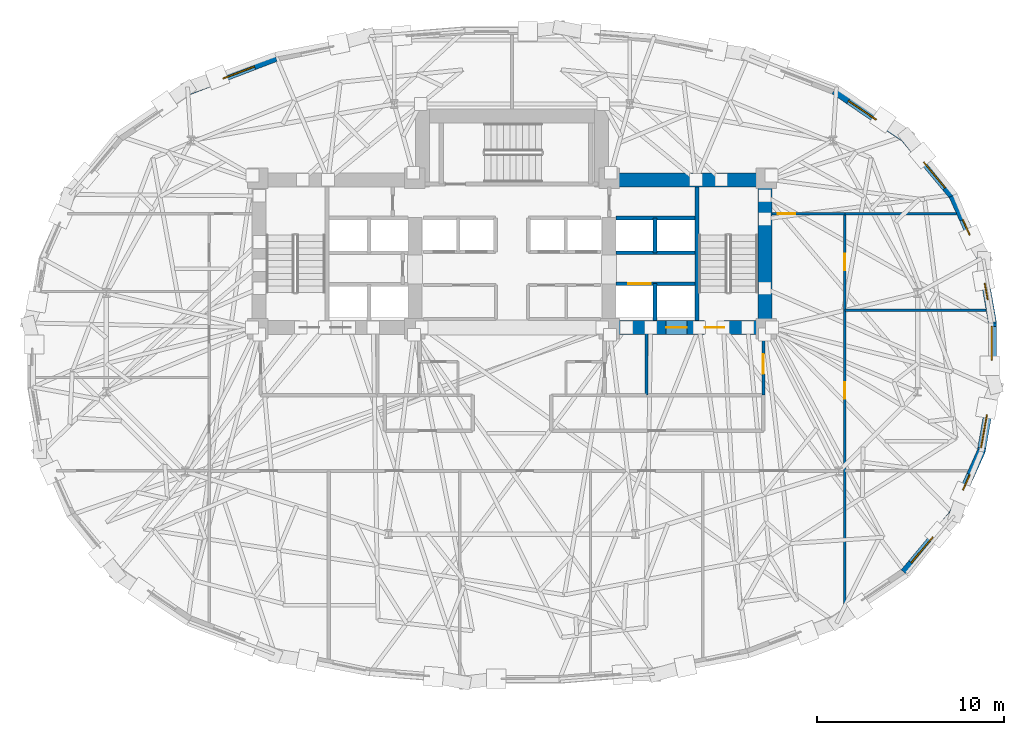
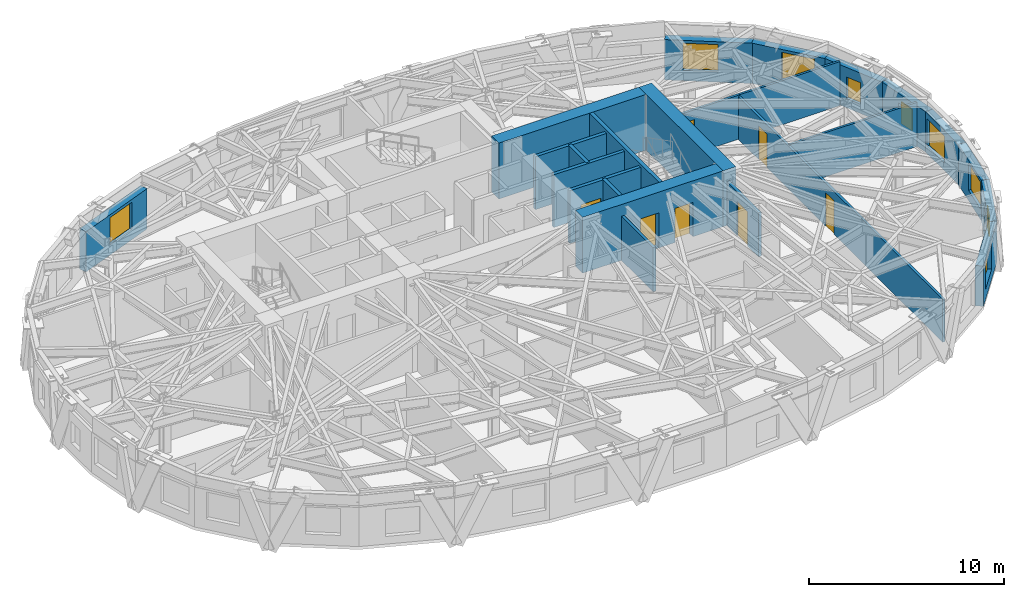
# One storey, part 9 of 14: 24 walls, 9 windows, 7 doors, 16 openings.
"""IFC4 building model written with IfcOpenShell, lengths in metres."""

from ifc_helpers import new_model, si_unit, direction, frame, frame_2d, origin, place, context, subcontext, project, spatial, rectangle, extrude, material, layer, layer_set, type_object, element, fill, save


model = new_model("IFC4")

# Units and contexts
model_context = context("Model", 3, precision=1e-05, world=origin(), true_north=direction((0.0, 1.0)))
body_context = subcontext(model_context, "Body", "Model", "MODEL_VIEW")
ifc_project = project(units=[si_unit("LENGTHUNIT", "METRE"), si_unit("AREAUNIT", "SQUARE_METRE"), si_unit("VOLUMEUNIT", "CUBIC_METRE"), si_unit("PLANEANGLEUNIT", "RADIAN"), si_unit("MASSUNIT", "GRAM", prefix="KILO")], contexts=[model_context])

# Site, building, storey
site_placement = place(None, origin())
site = spatial("IfcSite", under=ifc_project, at=site_placement, CompositionType="ELEMENT")
building_placement = place(site_placement, origin())
building = spatial("IfcBuilding", under=site, at=building_placement, Name="Keldmark Tower", CompositionType="ELEMENT")
storey_placement = place(building_placement, frame((0.0, 0.0, 124.60009765625)))
storey = spatial("IfcBuildingStorey", under=building, at=storey_placement, Name="L33", CompositionType="ELEMENT", Elevation=124.60009765625)

# Wall, openings, doors
ifc_material_1 = material(Name="Acoustic Double-Layer Gypsum Corridor Partition", Category="gypsum")
ifc_layer_1 = layer(ifc_material_1, 0.139892578125)
ifc_layer_set_1 = layer_set([ifc_layer_1], Name="Acoustic Double-Layer Gypsum Corridor Partition")
wall_type_1 = type_object("IfcWallType", Name="Acoustic Corridor Partition 140 mm", PredefinedType="PARTITIONING", material=ifc_layer_set_1)
wall_1_placement = place(storey_placement, frame((17.800048828125, -13.502197265625, 0.0), z_axis=(0.0, 0.0, 1.0), x_axis=(0.0, 1.0, 0.0)))
wall_1 = element("IfcWall", 1, at=wall_1_placement, inside=storey, type_object=wall_type_1, Name="L33 Acoustic Corridor Partition 140 mm COR-E", PredefinedType="PARTITIONING", context=body_context, shape_type="SweptSolid", body=[
    extrude(rectangle(XDim=21.05224609375, YDim=0.139892578125, at=frame_2d((10.526123046875, 0.0))), origin(), (0.0, 0.0, 1.0), 2.68798828125),
])
opening_1_placement = place(wall_1_placement, frame((11.152587890625, 0.0, 0.0)))
opening_1 = element("IfcOpeningElement", 2, at=opening_1_placement, cuts=wall_1, Name="Opening D-IN090", PredefinedType="OPENING", context=body_context, shape_type="SweptSolid", body=[
    extrude(rectangle(XDim=0.89990234375, YDim=2.10009765625, at=frame_2d((0.449951171875, 1.050048828125))), frame((0.0, 0.079833984375, 0.0), z_axis=(0.0, -1.0, 0.0), x_axis=(1.0, 0.0, 0.0)), (0.0, 0.0, 1.0), 0.159912109375),
])
opening_2_placement = place(wall_1_placement, frame((18.027587890625, 0.0, 0.0)))
opening_2 = element("IfcOpeningElement", 3, at=opening_2_placement, cuts=wall_1, Name="Opening D-IN090", PredefinedType="OPENING", context=body_context, shape_type="SweptSolid", body=[
    extrude(rectangle(XDim=0.89990234375, YDim=2.10009765625, at=frame_2d((0.449951171875, 1.050048828125))), frame((0.0, 0.079833984375, 0.0), z_axis=(0.0, -1.0, 0.0), x_axis=(1.0, 0.0, 0.0)), (0.0, 0.0, 1.0), 0.159912109375),
])
ifc_material_2 = material(Name="Stained American White Oak Veneer", Category="wood")
door_type_1 = type_object("IfcDoorType", Name="Interior Door 900x2100", OperationType="NOTDEFINED", PredefinedType="DOOR", material=ifc_material_2)
door_1_placement = place(opening_1_placement, origin())
door_1 = element("IfcDoor", 4, at=door_1_placement, inside=storey, type_object=door_type_1, Name="L33 Interior Door 900x2100 D-ER-1-L33", OperationType="SINGLE_SWING_RIGHT", OverallHeight=2.10009765625, OverallWidth=0.89990234375, PredefinedType="DOOR", context=body_context, shape_type="SweptSolid", body=[
    extrude(rectangle(XDim=0.89990234375, YDim=2.10009765625, at=frame_2d((0.449951171875, 1.050048828125))), frame((0.0, 0.02490234375, 0.0), z_axis=(0.0, -1.0, 0.0), x_axis=(1.0, 0.0, 0.0)), (0.0, 0.0, 1.0), 0.050048828125),
])
fill(opening_1, door_1)
door_2_placement = place(opening_2_placement, origin())
door_2 = element("IfcDoor", 5, at=door_2_placement, inside=storey, type_object=door_type_1, Name="L33 Interior Door 900x2100 D-ER-2-L33", OperationType="SINGLE_SWING_LEFT", OverallHeight=2.10009765625, OverallWidth=0.89990234375, PredefinedType="DOOR", context=body_context, shape_type="SweptSolid", body=[
    extrude(rectangle(XDim=0.89990234375, YDim=2.10009765625, at=frame_2d((0.449951171875, 1.050048828125))), frame((0.0, 0.02490234375, 0.0), z_axis=(0.0, -1.0, 0.0), x_axis=(1.0, 0.0, 0.0)), (0.0, 0.0, 1.0), 0.050048828125),
])
fill(opening_2, door_2)

# Wall, opening, door
wall_2_placement = place(storey_placement, frame((13.89990234375, 7.550048828125, 0.0), z_axis=(0.0, 0.0, 1.0), x_axis=(1.0, 0.0, 0.0)))
wall_2 = element("IfcWall", 6, at=wall_2_placement, inside=storey, type_object=wall_type_1, Name="L33 Acoustic Corridor Partition 140 mm COR-EN-CAP", PredefinedType="PARTITIONING", context=body_context, shape_type="SweptSolid", body=[
    extrude(rectangle(XDim=3.900146484375, YDim=0.139892578125, at=frame_2d((1.9501953125, 0.0))), origin(), (0.0, 0.0, 1.0), 2.762939453125),
])
opening_3_placement = place(wall_2_placement, frame((0.320068359375, 0.0, 0.0)))
opening_3 = element("IfcOpeningElement", 7, at=opening_3_placement, cuts=wall_2, Name="Opening D-EX092", PredefinedType="OPENING", context=body_context, shape_type="SweptSolid", body=[
    extrude(rectangle(XDim=0.919921875, YDim=2.14990234375, at=frame_2d((0.4599609375, 1.074951171875))), frame((0.0, 0.079833984375, 0.0), z_axis=(0.0, -1.0, 0.0), x_axis=(1.0, 0.0, 0.0)), (0.0, 0.0, 1.0), 0.159912109375),
])
ifc_material_3 = material(Name="Flush American Ash Executive Office Door", Category="wood")
door_type_2 = type_object("IfcDoorType", Name="Executive Office Door 920x2150", OperationType="NOTDEFINED", PredefinedType="DOOR", material=ifc_material_3)
door_3_placement = place(opening_3_placement, origin())
door_3 = element("IfcDoor", 8, at=door_3_placement, inside=storey, type_object=door_type_2, Name="L33 Executive Office Door 920x2150 D-NRNE-L33", OperationType="SINGLE_SWING_RIGHT", OverallHeight=2.14990234375, OverallWidth=0.919921875, PredefinedType="DOOR", context=body_context, shape_type="SweptSolid", body=[
    extrude(rectangle(XDim=0.919921875, YDim=2.14990234375, at=frame_2d((0.4599609375, 1.074951171875))), frame((0.0, 0.02490234375, 0.0), z_axis=(0.0, -1.0, 0.0), x_axis=(1.0, 0.0, 0.0)), (0.0, 0.0, 1.0), 0.050048828125),
])
fill(opening_3, door_3)

# Walls
ifc_material_4 = material(Name="Acoustic Gypsum Board Interior Partition", Category="gypsum")
ifc_layer_2 = layer(ifc_material_4, 0.1298828125)
ifc_layer_set_2 = layer_set([ifc_layer_2], Name="Acoustic Gypsum Board Interior Partition")
wall_type_2 = type_object("IfcWallType", Name="Interior Partition 130 mm", PredefinedType="PARTITIONING", material=ifc_layer_set_2)
wall_3_placement = place(storey_placement, frame((17.800048828125, 7.550048828125, 0.0), z_axis=(0.0, 0.0, 1.0), x_axis=(1.0, 0.0, 0.0)))
element("IfcWall", 9, at=wall_3_placement, inside=storey, type_object=wall_type_2, Name="L33 Interior Partition 130 mm E-CAP-N", PredefinedType="PARTITIONING", context=body_context, shape_type="SweptSolid", body=[
    extrude(rectangle(XDim=5.96826171875, YDim=0.1298828125, at=frame_2d((2.984130859375, 0.0))), origin(), (0.0, 0.0, 1.0), 2.762939453125),
])
wall_4_placement = place(storey_placement, frame((17.800048828125, 2.39990234375, 0.0), z_axis=(0.0, 0.0, 1.0), x_axis=(1.0, 0.0, 0.0)))
element("IfcWall", 10, at=wall_4_placement, inside=storey, type_object=wall_type_2, Name="L33 Interior Partition 130 mm E-DIV-1", PredefinedType="PARTITIONING", context=body_context, shape_type="SweptSolid", body=[
    extrude(rectangle(XDim=7.55224609375, YDim=0.1298828125, at=frame_2d((3.776123046875, 0.0))), origin(), (0.0, 0.0, 1.0), 2.762939453125),
])
ifc_material_5 = material(Name="Concrete C70/85", Category="concrete")
ifc_layer_3 = layer(ifc_material_5, 0.75)
ifc_layer_set_3 = layer_set([ifc_layer_3], Name="Concrete C70/85")
wall_type_3 = type_object("IfcWallType", Name="Low-Mid Core Shear Wall 750 mm", PredefinedType="SHEAR", material=ifc_layer_set_3)
wall_5_placement = place(storey_placement, frame((13.52490234375, 1.10009765625, 0.0), z_axis=(0.0, 0.0, 1.0), x_axis=(0.0, 1.0, 0.0)))
element("IfcWall", 11, at=wall_5_placement, inside=storey, type_object=wall_type_3, Name="L33 East Core Outer Shear Wall", PredefinedType="SHEAR", context=body_context, shape_type="SweptSolid", body=[
    extrude(rectangle(XDim=8.64990234375, YDim=0.75, at=frame_2d((4.324951171875, 0.0))), origin(), (0.0, 0.0, 1.0), 3.5),
])
wall_6_placement = place(storey_placement, frame((4.425048828125, 9.375, 0.0), z_axis=(0.0, 0.0, 1.0), x_axis=(1.0, 0.0, 0.0)))
element("IfcWall", 12, at=wall_6_placement, inside=storey, type_object=wall_type_3, Name="L33 East Core North Shear Wall", PredefinedType="SHEAR", context=body_context, shape_type="SweptSolid", body=[
    extrude(rectangle(XDim=9.474853515625, YDim=0.75, at=frame_2d((4.7373046875, 0.0))), origin(), (0.0, 0.0, 1.0), 3.5),
])

# Wall, openings, doors
wall_7_placement = place(storey_placement, frame((13.89990234375, 1.47509765625, 0.0), z_axis=(0.0, 0.0, 1.0), x_axis=(-1.0, 0.0, 0.0)))
wall_7 = element("IfcWall", 13, at=wall_7_placement, inside=storey, type_object=wall_type_3, Name="L33 East Core South Shear Wall", PredefinedType="SHEAR", context=body_context, shape_type="SweptSolid", body=[
    extrude(rectangle(XDim=9.074951171875, YDim=0.75, at=frame_2d((4.53759765625, 0.0))), origin(), (0.0, 0.0, 1.0), 3.5),
])
opening_4_placement = place(wall_7_placement, frame((2.550048828125, 0.0, 0.0)))
opening_4 = element("IfcOpeningElement", 14, at=opening_4_placement, cuts=wall_7, Name="Opening D-ST105", PredefinedType="OPENING", context=body_context, shape_type="SweptSolid", body=[
    extrude(rectangle(XDim=1.050048828125, YDim=2.14990234375, at=frame_2d((0.52490234375, 1.074951171875))), frame((0.0, 0.385009765625, 0.0), z_axis=(0.0, -1.0, 0.0), x_axis=(1.0, 0.0, 0.0)), (0.0, 0.0, 1.0), 0.77001953125),
])
opening_5_placement = place(wall_7_placement, frame((4.550048828125, 0.0, 0.0)))
opening_5 = element("IfcOpeningElement", 15, at=opening_5_placement, cuts=wall_7, Name="Opening LD-110", PredefinedType="OPENING", context=body_context, shape_type="SweptSolid", body=[
    extrude(rectangle(XDim=1.10009765625, YDim=2.199951171875, at=frame_2d((0.550048828125, 1.10009765625))), frame((0.0, 0.385009765625, 0.0), z_axis=(0.0, -1.0, 0.0), x_axis=(1.0, 0.0, 0.0)), (0.0, 0.0, 1.0), 0.77001953125),
])
ifc_material_6 = material(Name="Brushed Bronze Hoistway Sliding Leaf", Category="metal")
door_type_3 = type_object("IfcDoorType", Name="Lift Landing Sliding Door 1100x2200", OperationType="SLIDING_TO_LEFT", PredefinedType="DOOR", material=ifc_material_6)
door_4_placement = place(opening_5_placement, origin())
door_4 = element("IfcDoor", 16, at=door_4_placement, inside=storey, type_object=door_type_3, Name="L33 Lift Landing Sliding Door 1100x2200 LD-EL-FS2-L33", OperationType="SLIDING_TO_LEFT", OverallHeight=2.199951171875, OverallWidth=1.10009765625, PredefinedType="DOOR", context=body_context, shape_type="SweptSolid", body=[
    extrude(rectangle(XDim=1.10009765625, YDim=2.199951171875, at=frame_2d((0.550048828125, 1.10009765625))), frame((0.0, 0.02490234375, 0.0), z_axis=(0.0, -1.0, 0.0), x_axis=(1.0, 0.0, 0.0)), (0.0, 0.0, 1.0), 0.050048828125),
])
fill(opening_5, door_4)
ifc_material_7 = material(Name="Hollow Metal Fire-Rated Door Assembly", Category="metal")
door_type_4 = type_object("IfcDoorType", Name="Stair Fire Door 1050x2150", OperationType="NOTDEFINED", PredefinedType="DOOR", material=ifc_material_7)
door_5_placement = place(opening_4_placement, origin())
door_5 = element("IfcDoor", 17, at=door_5_placement, inside=storey, type_object=door_type_4, Name="L33 Stair Fire Door 1050x2150 D-ST2-L33", OperationType="SINGLE_SWING_LEFT", OverallHeight=2.14990234375, OverallWidth=1.050048828125, PredefinedType="DOOR", context=body_context, shape_type="SweptSolid", body=[
    extrude(rectangle(XDim=1.050048828125, YDim=2.14990234375, at=frame_2d((0.52490234375, 1.074951171875))), frame((0.0, 0.02490234375, 0.0), z_axis=(0.0, -1.0, 0.0), x_axis=(1.0, 0.0, 0.0)), (0.0, 0.0, 1.0), 0.050048828125),
])
fill(opening_4, door_5)

# Wall
ifc_material_8 = material(Name="Type X Fire-Rated Gypsum Partition Assembly", Category="gypsum")
ifc_layer_4 = layer(ifc_material_8, 0.1650390625)
ifc_layer_set_4 = layer_set([ifc_layer_4], Name="Type X Fire-Rated Gypsum Partition Assembly")
wall_type_4 = type_object("IfcWallType", Name="Rated Partition 165 mm", PredefinedType="PARTITIONING", material=ifc_layer_set_4)
wall_8_placement = place(storey_placement, frame((7.199951171875, -2.14990234375, 0.0), z_axis=(0.0, 0.0, 1.0), x_axis=(0.0, 1.0, 0.0)))
element("IfcWall", 18, at=wall_8_placement, inside=storey, type_object=wall_type_4, Name="L33 Rated Partition 165 mm FSAE-E-W", PredefinedType="PARTITIONING", context=body_context, shape_type="SweptSolid", body=[
    extrude(rectangle(XDim=3.2998046875, YDim=0.1650390625, at=frame_2d((1.64990234375, 0.0))), origin(), (0.0, 0.0, 1.0), 2.762939453125),
])

# Wall, opening, door
wall_9_placement = place(storey_placement, frame((13.449951171875, -2.14990234375, 0.0), z_axis=(0.0, 0.0, 1.0), x_axis=(0.0, 1.0, 0.0)))
wall_9 = element("IfcWall", 19, at=wall_9_placement, inside=storey, type_object=wall_type_4, Name="L33 Rated Partition 165 mm FSAE-E-E", PredefinedType="PARTITIONING", context=body_context, shape_type="SweptSolid", body=[
    extrude(rectangle(XDim=3.2998046875, YDim=0.1650390625, at=frame_2d((1.64990234375, 0.0))), origin(), (0.0, 0.0, 1.0), 2.762939453125),
])
opening_6_placement = place(wall_9_placement, frame((1.14990234375, 0.0, 0.0)))
opening_6 = element("IfcOpeningElement", 20, at=opening_6_placement, cuts=wall_9, Name="Opening D-FL105", PredefinedType="OPENING", context=body_context, shape_type="SweptSolid", body=[
    extrude(rectangle(XDim=1.050048828125, YDim=2.14990234375, at=frame_2d((0.52490234375, 1.074951171875))), frame((0.0, 0.092529296875, 0.0), z_axis=(0.0, -1.0, 0.0), x_axis=(1.0, 0.0, 0.0)), (0.0, 0.0, 1.0), 0.18505859375),
])
ifc_material_9 = material(Name="Fire-Rated Mineral-Core Door and Vision Lite", Category="metal")
door_type_5 = type_object("IfcDoorType", Name="Fire Lobby Door 1050x2150", OperationType="NOTDEFINED", PredefinedType="DOOR", material=ifc_material_9)
door_6_placement = place(opening_6_placement, origin())
door_6 = element("IfcDoor", 21, at=door_6_placement, inside=storey, type_object=door_type_5, Name="L33 Fire Lobby Door 1050x2150 D-FSAEE-OUT-L33", OperationType="SINGLE_SWING_LEFT", OverallHeight=2.14990234375, OverallWidth=1.050048828125, PredefinedType="DOOR", context=body_context, shape_type="SweptSolid", body=[
    extrude(rectangle(XDim=1.050048828125, YDim=2.14990234375, at=frame_2d((0.52490234375, 1.074951171875))), frame((0.0, 0.02490234375, 0.0), z_axis=(0.0, -1.0, 0.0), x_axis=(1.0, 0.0, 0.0)), (0.0, 0.0, 1.0), 0.050048828125),
])
fill(opening_6, door_6)

ifc_material_10 = material(Name="Fire-Resistant Type X Gypsum Shaftliner Coreboard", Category="gypsum")
ifc_layer_5 = layer(ifc_material_10, 0.199951171875)
ifc_layer_set_5 = layer_set([ifc_layer_5], Name="Fire-Resistant Type X Gypsum Shaftliner Coreboard")
wall_type_5 = type_object("IfcWallType", Name="Shaft Wall 200 mm", PredefinedType="SOLIDWALL", material=ifc_layer_set_5)
wall_10_placement = place(storey_placement, frame((5.574951171875, 3.820068359375, 0.0), z_axis=(0.0, 0.0, 1.0), x_axis=(1.0, 0.0, 0.0)))
wall_10 = element("IfcWall", 22, at=wall_10_placement, inside=storey, type_object=wall_type_5, Name="L33 Shaft Wall 200 mm HW-E-S", PredefinedType="SOLIDWALL", context=body_context, shape_type="SweptSolid", body=[
    extrude(rectangle(XDim=4.205078125, YDim=0.199951171875, at=frame_2d((2.1025390625, 0.0))), origin(), (0.0, 0.0, 1.0), 3.309814453125),
])
opening_7_placement = place(wall_10_placement, frame((0.64990234375, 0.0, 0.0)))
opening_7 = element("IfcOpeningElement", 23, at=opening_7_placement, cuts=wall_10, Name="Opening LD-120", PredefinedType="OPENING", context=body_context, shape_type="SweptSolid", body=[
    extrude(rectangle(XDim=1.199951171875, YDim=2.199951171875, at=frame_2d((0.60009765625, 1.10009765625))), frame((0.0, 0.10986328125, 0.0), z_axis=(0.0, -1.0, 0.0), x_axis=(1.0, 0.0, 0.0)), (0.0, 0.0, 1.0), 0.219970703125),
])
ifc_material_11 = material(Name="Heavy-Duty Brushed Metal Hoistway Sliding Leaf", Category="metal")
door_type_6 = type_object("IfcDoorType", Name="Service Lift Sliding Door 1200x2200", OperationType="SLIDING_TO_RIGHT", PredefinedType="DOOR", material=ifc_material_11)
door_7_placement = place(opening_7_placement, origin())
door_7 = element("IfcDoor", 24, at=door_7_placement, inside=storey, type_object=door_type_6, Name="L33 Service Lift Sliding Door 1200x2200 LD-EL-SV1-L33", OperationType="SLIDING_TO_RIGHT", OverallHeight=2.199951171875, OverallWidth=1.199951171875, PredefinedType="DOOR", context=body_context, shape_type="SweptSolid", body=[
    extrude(rectangle(XDim=1.199951171875, YDim=2.199951171875, at=frame_2d((0.60009765625, 1.10009765625))), frame((0.0, 0.02490234375, 0.0), z_axis=(0.0, -1.0, 0.0), x_axis=(1.0, 0.0, 0.0)), (0.0, 0.0, 1.0), 0.050048828125),
])
fill(opening_7, door_7)

# Walls
wall_11_placement = place(storey_placement, frame((7.64990234375, 1.85009765625, 0.0), z_axis=(0.0, 0.0, 1.0), x_axis=(0.0, 1.0, 0.0)))
element("IfcWall", 25, at=wall_11_placement, inside=storey, type_object=wall_type_5, Name="L33 Shaft Wall 200 mm HW-E-M", PredefinedType="SOLIDWALL", context=body_context, shape_type="SweptSolid", body=[
    extrude(rectangle(XDim=1.969970703125, YDim=0.199951171875, at=frame_2d((0.98486328125, 0.0))), origin(), (0.0, 0.0, 1.0), 3.309814453125),
])
for number, where, z_axis, x_axis, name in (
    (26, (5.574951171875, 5.469970703125, 0.0), (0.0, 0.0, 1.0), (1.0, 0.0, 0.0), "L33 Shaft Wall 200 mm HW-E-N"),
    (27, (5.574951171875, 7.330078125, 0.0), (0.0, 0.0, 1.0), (1.0, 0.0, 0.0), "L33 Shaft Wall 200 mm HW-E-TOP"),
):
    element("IfcWall", number, at=place(storey_placement, frame(where, z_axis=z_axis, x_axis=x_axis)), inside=storey, type_object=wall_type_5, Name=name, PredefinedType="SOLIDWALL", context=body_context, shape_type="SweptSolid", body=[
        extrude(rectangle(XDim=4.205078125, YDim=0.199951171875, at=frame_2d((2.1025390625, 0.0))), origin(), (0.0, 0.0, 1.0), 3.309814453125),
    ])
wall_12_placement = place(storey_placement, frame((7.64990234375, 5.469970703125, 0.0), z_axis=(0.0, 0.0, 1.0), x_axis=(0.0, 1.0, 0.0)))
element("IfcWall", 28, at=wall_12_placement, inside=storey, type_object=wall_type_5, Name="L33 Shaft Wall 200 mm HW-E-NM", PredefinedType="SOLIDWALL", context=body_context, shape_type="SweptSolid", body=[
    extrude(rectangle(XDim=1.860107421875, YDim=0.199951171875, at=frame_2d((0.93017578125, 0.0))), origin(), (0.0, 0.0, 1.0), 3.309814453125),
])
ifc_material_12 = material(Name="Concrete C50/60", Category="concrete")
ifc_layer_6 = layer(ifc_material_12, 0.219970703125)
ifc_layer_set_6 = layer_set([ifc_layer_6], Name="Concrete C50/60")
wall_type_6 = type_object("IfcWallType", Name="Stair Core Shear Wall 220 mm", PredefinedType="SHEAR", material=ifc_layer_set_6)
wall_13_placement = place(storey_placement, frame((9.889892578125, 1.85009765625, 0.0), z_axis=(0.0, 0.0, 1.0), x_axis=(0.0, 1.0, 0.0)))
element("IfcWall", 29, at=wall_13_placement, inside=storey, type_object=wall_type_6, Name="L33 East Stair Core Shear Wall", PredefinedType="SHEAR", context=body_context, shape_type="SweptSolid", body=[
    extrude(rectangle(XDim=7.14990234375, YDim=0.219970703125, at=frame_2d((3.574951171875, 0.0))), origin(), (0.0, 0.0, 1.0), 3.5),
])

# Wall, opening, window
ifc_material_13 = material(Name="Ironspot Manganese Brick and Kasota Buff Limestone Spandrel Assembly", Category="masonry")
ifc_layer_7 = layer(ifc_material_13, 0.43994140625)
ifc_layer_set_7 = layer_set([ifc_layer_7], Name="Ironspot Manganese Brick and Kasota Buff Limestone Spandrel Assembly")
wall_type_7 = type_object("IfcWallType", Name="Tower Brick Pier and Spandrel Wall 440 mm", PredefinedType="STANDARD", material=ifc_layer_set_7)
wall_14_placement = place(storey_placement, frame((25.095947265625, 5.167724609375, 0.0), z_axis=(0.0, 0.0, 1.0), x_axis=(0.173615589384, -0.98481349865, 0.0)))
wall_14 = element("IfcWall", 30, at=wall_14_placement, inside=storey, type_object=wall_type_7, Name="L33 Exterior Brick and Spandrel Wall 01", PredefinedType="STANDARD", context=body_context, shape_type="SweptSolid", body=[
    extrude(rectangle(XDim=3.528076171875, YDim=0.43994140625, at=frame_2d((1.76416015625, 0.0))), origin(), (0.0, 0.0, 1.0), 2.52783203125),
])
opening_8_placement = place(wall_14_placement, frame((1.3388671875, 0.0, 0.580078125)))
opening_8 = element("IfcOpeningElement", 31, at=opening_8_placement, cuts=wall_14, Name="Opening W-09", PredefinedType="OPENING", context=body_context, shape_type="SweptSolid", body=[
    extrude(rectangle(XDim=0.89990234375, YDim=1.35009765625, at=frame_2d((0.449951171875, 0.675048828125))), frame((0.0, 0.22998046875, 0.0), z_axis=(0.0, -1.0, 0.0), x_axis=(1.0, 0.0, 0.0)), (0.0, 0.0, 1.0), 0.4599609375),
])
ifc_material_14 = material(Name="Thermally Broken Anodized Aluminum and Triple Low-E Argon Glazing", Category="aluminium")
window_type_1 = type_object("IfcWindowType", Name="Corner Pier Deep-Set Window 900x1350", PartitioningType="SINGLE_PANEL", PredefinedType="WINDOW", material=ifc_material_14)
window_1_placement = place(opening_8_placement, origin())
window_1 = element("IfcWindow", 32, at=window_1_placement, inside=storey, type_object=window_type_1, Name="L33 Deep-Set Window 01", OverallHeight=1.35009765625, OverallWidth=0.89990234375, PartitioningType="SINGLE_PANEL", PredefinedType="WINDOW", context=body_context, shape_type="SweptSolid", body=[
    extrude(rectangle(XDim=0.89990234375, YDim=1.35009765625, at=frame_2d((0.449951171875, 0.675048828125))), frame((0.0, -0.010009765625, 0.0), z_axis=(0.0, -1.0, 0.0), x_axis=(1.0, 0.0, 0.0)), (0.0, 0.0, 1.0), 0.06005859375),
])
fill(opening_8, window_1)

wall_15_placement = place(storey_placement, frame((23.5791015625, 8.527587890625, 0.0), z_axis=(0.0, 0.0, 1.0), x_axis=(0.409835385481, -0.912159501846, 0.0)))
wall_15 = element("IfcWall", 33, at=wall_15_placement, inside=storey, type_object=wall_type_7, Name="L33 Exterior Brick and Spandrel Wall 02", PredefinedType="STANDARD", context=body_context, shape_type="SweptSolid", body=[
    extrude(rectangle(XDim=3.740478515625, YDim=0.43994140625, at=frame_2d((1.8701171875, 0.0))), origin(), (0.0, 0.0, 1.0), 2.52783203125),
])
opening_9_placement = place(wall_15_placement, frame((1.395263671875, 0.0, 0.580078125)))
opening_9 = element("IfcOpeningElement", 34, at=opening_9_placement, cuts=wall_15, Name="Opening W-09", PredefinedType="OPENING", context=body_context, shape_type="SweptSolid", body=[
    extrude(rectangle(XDim=0.89990234375, YDim=1.35009765625, at=frame_2d((0.449951171875, 0.675048828125))), frame((0.0, 0.22998046875, 0.0), z_axis=(0.0, -1.0, 0.0), x_axis=(1.0, 0.0, 0.0)), (0.0, 0.0, 1.0), 0.4599609375),
])
window_2_placement = place(opening_9_placement, origin())
window_2 = element("IfcWindow", 35, at=window_2_placement, inside=storey, type_object=window_type_1, Name="L33 Deep-Set Window 02", OverallHeight=1.35009765625, OverallWidth=0.89990234375, PartitioningType="SINGLE_PANEL", PredefinedType="WINDOW", context=body_context, shape_type="SweptSolid", body=[
    extrude(rectangle(XDim=0.89990234375, YDim=1.35009765625, at=frame_2d((0.449951171875, 0.675048828125))), frame((0.0, -0.010009765625, 0.0), z_axis=(0.0, -1.0, 0.0), x_axis=(1.0, 0.0, 0.0)), (0.0, 0.0, 1.0), 0.06005859375),
])
fill(opening_9, window_2)

wall_16_placement = place(storey_placement, frame((20.984375, 11.62939453125, 0.0), z_axis=(0.0, 0.0, 1.0), x_axis=(0.640084904994, -0.768304180906, 0.0)))
wall_16 = element("IfcWall", 36, at=wall_16_placement, inside=storey, type_object=wall_type_7, Name="L33 Exterior Brick and Spandrel Wall 03", PredefinedType="STANDARD", context=body_context, shape_type="SweptSolid", body=[
    extrude(rectangle(XDim=4.103271484375, YDim=0.43994140625, at=frame_2d((2.0517578125, 0.0))), origin(), (0.0, 0.0, 1.0), 2.52783203125),
])
opening_10_placement = place(wall_16_placement, frame((1.6640625, 0.0, 0.64990234375)))
opening_10 = element("IfcOpeningElement", 37, at=opening_10_placement, cuts=wall_16, Name="Opening W-02", PredefinedType="OPENING", context=body_context, shape_type="SweptSolid", body=[
    extrude(rectangle(XDim=1.800048828125, YDim=1.699951171875, at=frame_2d((0.89990234375, 0.85009765625))), frame((0.0, 0.22998046875, 0.0), z_axis=(0.0, -1.0, 0.0), x_axis=(1.0, 0.0, 0.0)), (0.0, 0.0, 1.0), 0.4599609375),
])
ifc_material_15 = material(Name="Thermally Broken Anodized Aluminum and Triple Low-E Argon Glazing", Category="aluminium")
window_type_2 = type_object("IfcWindowType", Name="Office Deep-Set Triple Window 1800x1700", PartitioningType="TRIPLE_PANEL_VERTICAL", PredefinedType="WINDOW", material=ifc_material_15)
window_3_placement = place(opening_10_placement, origin())
window_3 = element("IfcWindow", 38, at=window_3_placement, inside=storey, type_object=window_type_2, Name="L33 Deep-Set Window 03", OverallHeight=1.699951171875, OverallWidth=1.800048828125, PartitioningType="SINGLE_PANEL", PredefinedType="WINDOW", context=body_context, shape_type="SweptSolid", body=[
    extrude(rectangle(XDim=1.800048828125, YDim=1.699951171875, at=frame_2d((0.89990234375, 0.85009765625))), frame((0.0, -0.010009765625, 0.0), z_axis=(0.0, -1.0, 0.0), x_axis=(1.0, 0.0, 0.0)), (0.0, 0.0, 1.0), 0.06005859375),
])
fill(opening_10, window_3)

wall_17_placement = place(storey_placement, frame((17.236572265625, 14.159912109375, 0.0), z_axis=(0.0, 0.0, 1.0), x_axis=(0.827672849676, -0.561210881852, 0.0)))
wall_17 = element("IfcWall", 39, at=wall_17_placement, inside=storey, type_object=wall_type_7, Name="L33 Exterior Brick and Spandrel Wall 04", PredefinedType="STANDARD", context=body_context, shape_type="SweptSolid", body=[
    extrude(rectangle(XDim=4.5830078125, YDim=0.43994140625, at=frame_2d((2.29150390625, 0.0))), origin(), (0.0, 0.0, 1.0), 2.52783203125),
])
opening_11_placement = place(wall_17_placement, frame((0.944580078125, 0.0, 0.64990234375)))
opening_11 = element("IfcOpeningElement", 40, at=opening_11_placement, cuts=wall_17, Name="Opening W-02", PredefinedType="OPENING", context=body_context, shape_type="SweptSolid", body=[
    extrude(rectangle(XDim=1.800048828125, YDim=1.699951171875, at=frame_2d((0.89990234375, 0.85009765625))), frame((0.0, 0.22998046875, 0.0), z_axis=(0.0, -1.0, 0.0), x_axis=(1.0, 0.0, 0.0)), (0.0, 0.0, 1.0), 0.4599609375),
])
window_4_placement = place(opening_11_placement, origin())
window_4 = element("IfcWindow", 41, at=window_4_placement, inside=storey, type_object=window_type_2, Name="L33 Deep-Set Window 04", OverallHeight=1.699951171875, OverallWidth=1.800048828125, PartitioningType="SINGLE_PANEL", PredefinedType="WINDOW", context=body_context, shape_type="SweptSolid", body=[
    extrude(rectangle(XDim=1.800048828125, YDim=1.699951171875, at=frame_2d((0.89990234375, 0.85009765625))), frame((0.0, -0.010009765625, 0.0), z_axis=(0.0, -1.0, 0.0), x_axis=(1.0, 0.0, 0.0)), (0.0, 0.0, 1.0), 0.06005859375),
])
fill(opening_11, window_4)

wall_18_placement = place(storey_placement, frame((-17.281494140625, 14.136474609375, 0.0), z_axis=(0.0, 0.0, 1.0), x_axis=(0.933853964101, 0.357654545243, 0.0)))
wall_18 = element("IfcWall", 42, at=wall_18_placement, inside=storey, type_object=wall_type_7, Name="L33 Exterior Brick and Spandrel Wall 11", PredefinedType="STANDARD", context=body_context, shape_type="SweptSolid", body=[
    extrude(rectangle(XDim=4.97900390625, YDim=0.43994140625, at=frame_2d((2.489501953125, 0.0))), origin(), (0.0, 0.0, 1.0), 2.52783203125),
])
opening_12_placement = place(wall_18_placement, frame((1.936767578125, 0.0, 0.64990234375)))
opening_12 = element("IfcOpeningElement", 43, at=opening_12_placement, cuts=wall_18, Name="Opening W-02", PredefinedType="OPENING", context=body_context, shape_type="SweptSolid", body=[
    extrude(rectangle(XDim=1.800048828125, YDim=1.699951171875, at=frame_2d((0.89990234375, 0.85009765625))), frame((0.0, 0.22998046875, 0.0), z_axis=(0.0, -1.0, 0.0), x_axis=(1.0, 0.0, 0.0)), (0.0, 0.0, 1.0), 0.4599609375),
])
window_5_placement = place(opening_12_placement, origin())
window_5 = element("IfcWindow", 44, at=window_5_placement, inside=storey, type_object=window_type_2, Name="L33 Deep-Set Window 11", OverallHeight=1.699951171875, OverallWidth=1.800048828125, PartitioningType="SINGLE_PANEL", PredefinedType="WINDOW", context=body_context, shape_type="SweptSolid", body=[
    extrude(rectangle(XDim=1.800048828125, YDim=1.699951171875, at=frame_2d((0.89990234375, 0.85009765625))), frame((0.0, -0.010009765625, 0.0), z_axis=(0.0, -1.0, 0.0), x_axis=(1.0, 0.0, 0.0)), (0.0, 0.0, 1.0), 0.06005859375),
])
fill(opening_12, window_5)

wall_19_placement = place(storey_placement, frame((23.61083984375, -8.476806640625, 0.0), z_axis=(0.0, 0.0, 1.0), x_axis=(-0.640084904994, -0.768304180906, 0.0)))
wall_19 = element("IfcWall", 45, at=wall_19_placement, inside=storey, type_object=wall_type_7, Name="L33 Exterior Brick and Spandrel Wall 29", PredefinedType="STANDARD", context=body_context, shape_type="SweptSolid", body=[
    extrude(rectangle(XDim=4.103271484375, YDim=0.43994140625, at=frame_2d((2.0517578125, 0.0))), origin(), (0.0, 0.0, 1.0), 2.52783203125),
])
opening_13_placement = place(wall_19_placement, frame((1.6640625, 0.0, 0.64990234375)))
opening_13 = element("IfcOpeningElement", 46, at=opening_13_placement, cuts=wall_19, Name="Opening W-02", PredefinedType="OPENING", context=body_context, shape_type="SweptSolid", body=[
    extrude(rectangle(XDim=1.800048828125, YDim=1.699951171875, at=frame_2d((0.89990234375, 0.85009765625))), frame((0.0, 0.22998046875, 0.0), z_axis=(0.0, -1.0, 0.0), x_axis=(1.0, 0.0, 0.0)), (0.0, 0.0, 1.0), 0.4599609375),
])
window_6_placement = place(opening_13_placement, origin())
window_6 = element("IfcWindow", 47, at=window_6_placement, inside=storey, type_object=window_type_2, Name="L33 Deep-Set Window 29", OverallHeight=1.699951171875, OverallWidth=1.800048828125, PartitioningType="SINGLE_PANEL", PredefinedType="WINDOW", context=body_context, shape_type="SweptSolid", body=[
    extrude(rectangle(XDim=1.800048828125, YDim=1.699951171875, at=frame_2d((0.89990234375, 0.85009765625))), frame((0.0, -0.010009765625, 0.0), z_axis=(0.0, -1.0, 0.0), x_axis=(1.0, 0.0, 0.0)), (0.0, 0.0, 1.0), 0.06005859375),
])
fill(opening_13, window_6)

wall_20_placement = place(storey_placement, frame((25.112060546875, -5.11572265625, 0.0), z_axis=(0.0, 0.0, 1.0), x_axis=(-0.409835385481, -0.912159501846, 0.0)))
wall_20 = element("IfcWall", 48, at=wall_20_placement, inside=storey, type_object=wall_type_7, Name="L33 Exterior Brick and Spandrel Wall 30", PredefinedType="STANDARD", context=body_context, shape_type="SweptSolid", body=[
    extrude(rectangle(XDim=3.740478515625, YDim=0.43994140625, at=frame_2d((1.8701171875, 0.0))), origin(), (0.0, 0.0, 1.0), 2.52783203125),
])
opening_14_placement = place(wall_20_placement, frame((1.420166015625, 0.0, 0.580078125)))
opening_14 = element("IfcOpeningElement", 49, at=opening_14_placement, cuts=wall_20, Name="Opening W-09", PredefinedType="OPENING", context=body_context, shape_type="SweptSolid", body=[
    extrude(rectangle(XDim=0.89990234375, YDim=1.35009765625, at=frame_2d((0.449951171875, 0.675048828125))), frame((0.0, 0.22998046875, 0.0), z_axis=(0.0, -1.0, 0.0), x_axis=(1.0, 0.0, 0.0)), (0.0, 0.0, 1.0), 0.4599609375),
])
window_7_placement = place(opening_14_placement, origin())
window_7 = element("IfcWindow", 50, at=window_7_placement, inside=storey, type_object=window_type_1, Name="L33 Deep-Set Window 30", OverallHeight=1.35009765625, OverallWidth=0.89990234375, PartitioningType="SINGLE_PANEL", PredefinedType="WINDOW", context=body_context, shape_type="SweptSolid", body=[
    extrude(rectangle(XDim=0.89990234375, YDim=1.35009765625, at=frame_2d((0.449951171875, 0.675048828125))), frame((0.0, -0.010009765625, 0.0), z_axis=(0.0, -1.0, 0.0), x_axis=(1.0, 0.0, 0.0)), (0.0, 0.0, 1.0), 0.06005859375),
])
fill(opening_14, window_7)

wall_21_placement = place(storey_placement, frame((25.70849609375, -1.693115234375, 0.0), z_axis=(0.0, 0.0, 1.0), x_axis=(-0.173615589384, -0.98481349865, 0.0)))
wall_21 = element("IfcWall", 51, at=wall_21_placement, inside=storey, type_object=wall_type_7, Name="L33 Exterior Brick and Spandrel Wall 31", PredefinedType="STANDARD", context=body_context, shape_type="SweptSolid", body=[
    extrude(rectangle(XDim=3.528076171875, YDim=0.43994140625, at=frame_2d((1.76416015625, 0.0))), origin(), (0.0, 0.0, 1.0), 2.52783203125),
])
opening_15_placement = place(wall_21_placement, frame((1.5283203125, 0.0, 0.64990234375)))
opening_15 = element("IfcOpeningElement", 52, at=opening_15_placement, cuts=wall_21, Name="Opening W-02", PredefinedType="OPENING", context=body_context, shape_type="SweptSolid", body=[
    extrude(rectangle(XDim=1.800048828125, YDim=1.699951171875, at=frame_2d((0.89990234375, 0.85009765625))), frame((0.0, 0.22998046875, 0.0), z_axis=(0.0, -1.0, 0.0), x_axis=(1.0, 0.0, 0.0)), (0.0, 0.0, 1.0), 0.4599609375),
])
window_8_placement = place(opening_15_placement, origin())
window_8 = element("IfcWindow", 53, at=window_8_placement, inside=storey, type_object=window_type_2, Name="L33 Deep-Set Window 31", OverallHeight=1.699951171875, OverallWidth=1.800048828125, PartitioningType="SINGLE_PANEL", PredefinedType="WINDOW", context=body_context, shape_type="SweptSolid", body=[
    extrude(rectangle(XDim=1.800048828125, YDim=1.699951171875, at=frame_2d((0.89990234375, 0.85009765625))), frame((0.0, -0.010009765625, 0.0), z_axis=(0.0, -1.0, 0.0), x_axis=(1.0, 0.0, 0.0)), (0.0, 0.0, 1.0), 0.06005859375),
])
fill(opening_15, window_8)

wall_22_placement = place(storey_placement, frame((25.705078125, 1.731201171875, 0.0), z_axis=(0.0, 0.0, 1.0), x_axis=(0.0, -1.0, 0.0)))
wall_22 = element("IfcWall", 54, at=wall_22_placement, inside=storey, type_object=wall_type_7, Name="L33 Exterior Brick and Spandrel Wall 32", PredefinedType="STANDARD", context=body_context, shape_type="SweptSolid", body=[
    extrude(rectangle(XDim=3.46240234375, YDim=0.43994140625, at=frame_2d((1.731201171875, 0.0))), origin(), (0.0, 0.0, 1.0), 2.52783203125),
])
opening_16_placement = place(wall_22_placement, frame((0.199951171875, 0.0, 0.47998046875)))
opening_16 = element("IfcOpeningElement", 55, at=opening_16_placement, cuts=wall_22, Name="Opening W-02", PredefinedType="OPENING", context=body_context, shape_type="SweptSolid", body=[
    extrude(rectangle(XDim=1.800048828125, YDim=1.699951171875, at=frame_2d((0.89990234375, 0.85009765625))), frame((0.0, 0.22998046875, 0.0), z_axis=(0.0, -1.0, 0.0), x_axis=(1.0, 0.0, 0.0)), (0.0, 0.0, 1.0), 0.4599609375),
])
window_9_placement = place(opening_16_placement, origin())
window_9 = element("IfcWindow", 56, at=window_9_placement, inside=storey, type_object=window_type_2, Name="L33 Deep-Set Window 32", OverallHeight=1.699951171875, OverallWidth=1.800048828125, PartitioningType="SINGLE_PANEL", PredefinedType="WINDOW", context=body_context, shape_type="SweptSolid", body=[
    extrude(rectangle(XDim=1.800048828125, YDim=1.699951171875, at=frame_2d((0.89990234375, 0.85009765625))), frame((0.0, -0.010009765625, 0.0), z_axis=(0.0, -1.0, 0.0), x_axis=(1.0, 0.0, 0.0)), (0.0, 0.0, 1.0), 0.06005859375),
])
fill(opening_16, window_9)

save(model, "model.ifc")
